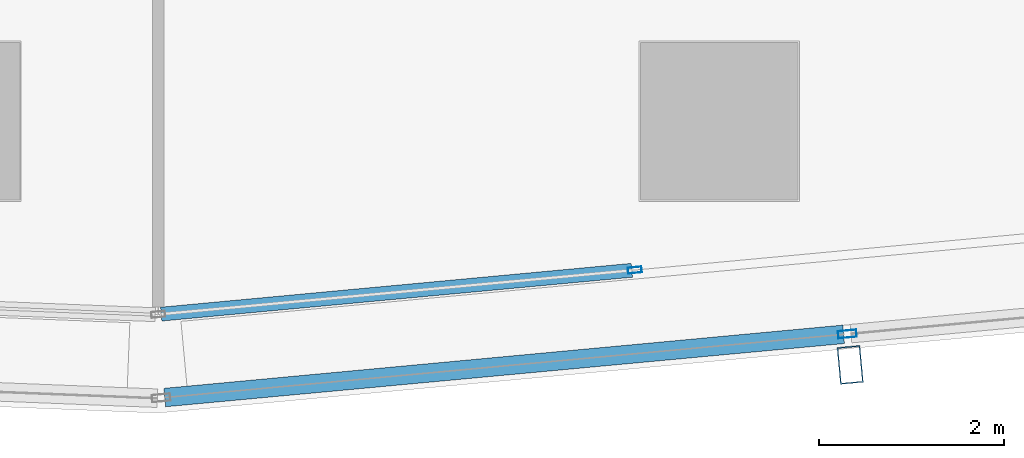
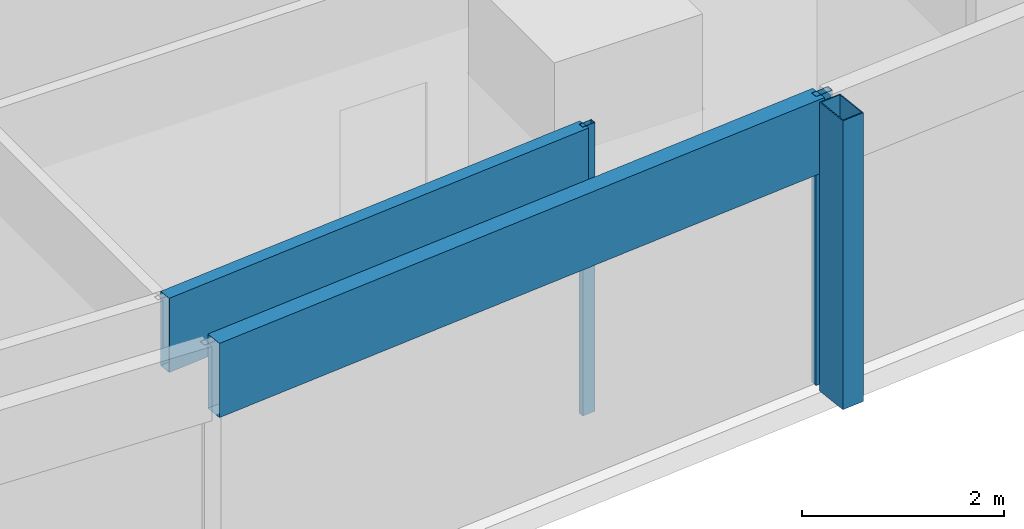
# One storey, part 11 of 34: 5 members, 2 elements without a shape of their own.
"""IFC4 building model written with IfcOpenShell, lengths in metres."""

from ifc_helpers import new_model, si_unit, direction, frame, origin, origin_2d, place, context, subcontext, project, spatial, hollow_rectangle, extrude, material, material_profile, profile_set, type_object, element, aggregate, save


model = new_model("IFC4")

# Units and contexts
model_context = context("Model", 3, precision=1e-05, world=origin(), true_north=direction((0.0, 1.0)))
body_context = subcontext(model_context, "Body", "Model", "MODEL_VIEW")
ifc_project = project(units=[si_unit("LENGTHUNIT", "METRE"), si_unit("AREAUNIT", "SQUARE_METRE"), si_unit("VOLUMEUNIT", "CUBIC_METRE"), si_unit("PLANEANGLEUNIT", "RADIAN"), si_unit("MASSUNIT", "GRAM", prefix="KILO")], contexts=[model_context])

# Site, building, storey
site_placement = place(None, origin())
site = spatial("IfcSite", under=ifc_project, at=site_placement, CompositionType="ELEMENT")
building_placement = place(site_placement, origin())
building = spatial("IfcBuilding", under=site, at=building_placement, Name="Rekha Terrace Tower", CompositionType="ELEMENT")
storey_placement = place(building_placement, frame((0.0, 0.0, 176.449951171875)))
storey = spatial("IfcBuildingStorey", under=building, at=storey_placement, Name="L44", CompositionType="ELEMENT", Elevation=176.449951171875)

# Curtain wall, member
ifc_material_1 = material(Name="Aluminium framing", Category="aluminium")
curtain_wall_type_1 = type_object("IfcCurtainWallType", Name="CW2 double skin outer glazing", PredefinedType="USERDEFINED", material=ifc_material_1)
curtain_wall_1_placement = place(storey_placement, origin())
curtain_wall_1 = element("IfcCurtainWall", 1, at=curtain_wall_1_placement, inside=storey, type_object=curtain_wall_type_1, Name="CW2 double skin outer glazing", ObjectType="DOUBLE SKIN OUTER GLAZING", PredefinedType="USERDEFINED")
ifc_material_2 = material(Name="Steel S355 with fluorocarbon finish", Category="steel")
ifc_material_profile_1 = material_profile(ifc_material_2, hollow_rectangle(XDim=0.25, YDim=0.39990234375, WallThickness=0.012451171875, at=origin_2d()), Name="RHS400x250x12.5")
ifc_profile_set_1 = profile_set([ifc_material_profile_1], Name="Steel S355 with fluorocarbon finish")
member_type_1 = type_object("IfcMemberType", Name="BL1 facade blade RHS 400 x 250", PredefinedType="USERDEFINED", material=ifc_profile_set_1)
member_1_placement = place(storey_placement, frame((51.8134765625, 14.170166015625, 0.0), z_axis=(0.0, 0.0, 1.0), x_axis=(0.995693203185, 0.092709466242, 0.0)))
member_1 = element("IfcMember", 2, at=member_1_placement, type_object=member_type_1, Name="Facade blade", ObjectType="FACADE BLADE", PredefinedType="USERDEFINED", context=body_context, shape_type="SweptSolid", body=[
    extrude(hollow_rectangle(XDim=0.25, YDim=0.39990234375, WallThickness=0.012451171875, at=origin_2d()), origin(), (0.0, 0.0, 1.0), 3.5),
])

# Curtain wall, members
curtain_wall_type_2 = type_object("IfcCurtainWallType", Name="CW1 double skin inner glazing", PredefinedType="USERDEFINED", material=ifc_material_1)
curtain_wall_2_placement = place(storey_placement, origin())
curtain_wall_2 = element("IfcCurtainWall", 3, at=curtain_wall_2_placement, inside=storey, type_object=curtain_wall_type_2, Name="CW1 double skin inner glazing", ObjectType="DOUBLE SKIN INNER GLAZING", PredefinedType="USERDEFINED")
ifc_material_3 = material(Name="Aluminium mullion section", Category="aluminium")
ifc_material_profile_2 = material_profile(ifc_material_3, hollow_rectangle(XDim=0.06494140625, YDim=0.14990234375, WallThickness=0.00390625, at=origin_2d()), Name="AL RHS 65x150")
ifc_profile_set_2 = profile_set([ifc_material_profile_2], Name="Aluminium mullion section")
member_type_2 = type_object("IfcMemberType", Name="CW1 mullion RHS 65 x 150", PredefinedType="MULLION", material=ifc_profile_set_2)
member_2_placement = place(storey_placement, frame((49.48876953125, 15.194091796875, 0.0), z_axis=(0.0, 0.0, 1.0), x_axis=(-0.092708869616, 0.995693258737, 0.0)))
member_2 = element("IfcMember", 4, at=member_2_placement, type_object=member_type_2, Name="CW1 mullion 2", PredefinedType="MULLION", context=body_context, shape_type="SweptSolid", body=[
    extrude(hollow_rectangle(XDim=0.06494140625, YDim=0.14990234375, WallThickness=0.00390625, at=origin_2d()), origin(), (0.0, 0.0, 1.0), 3.5),
])
ifc_material_4 = material(Name="Insulated aluminium spandrel box", Category="aluminium")
ifc_material_profile_3 = material_profile(ifc_material_4, hollow_rectangle(XDim=0.14990234375, YDim=0.89990234375, WallThickness=0.0029296875, at=origin_2d()), Name="AL SPANDREL BOX 150x900")
ifc_profile_set_3 = profile_set([ifc_material_profile_3], Name="Insulated aluminium spandrel box")
member_type_3 = type_object("IfcMemberType", Name="CW1 spandrel transom 150 x 900", PredefinedType="USERDEFINED", material=ifc_profile_set_3)
member_3_placement = place(storey_placement, frame((44.376708984375, 14.718017578125, 3.050048828125), z_axis=(0.995694336337, 0.092697295467, 0.0), x_axis=(-0.092697295467, 0.995694336337, 0.0)))
member_3 = element("IfcMember", 5, at=member_3_placement, type_object=member_type_3, Name="CW1 spandrel transom 1", ObjectType="TRANSOM", PredefinedType="USERDEFINED", context=body_context, shape_type="SweptSolid", body=[
    extrude(hollow_rectangle(XDim=0.14990234375, YDim=0.89990234375, WallThickness=0.0029296875, at=origin_2d()), origin(), (0.0, 0.0, 1.0), 5.1015625),
])
aggregate(curtain_wall_2, [member_2, member_3])

# Member
ifc_material_profile_4 = material_profile(ifc_material_3, hollow_rectangle(XDim=0.080078125, YDim=0.199951171875, WallThickness=0.00390625, at=origin_2d()), Name="AL RHS 80x200")
ifc_profile_set_4 = profile_set([ifc_material_profile_4], Name="Aluminium mullion section")
member_type_4 = type_object("IfcMemberType", Name="CW2 mullion RHS 80 x 200", PredefinedType="MULLION", material=ifc_profile_set_4)
member_4_placement = place(storey_placement, frame((51.782470703125, 14.503662109375, 0.0), z_axis=(0.0, 0.0, 1.0), x_axis=(-0.092708869512, 0.995693258747, 0.0)))
member_4 = element("IfcMember", 6, at=member_4_placement, type_object=member_type_4, Name="CW2 mullion 2", PredefinedType="MULLION", context=body_context, shape_type="SweptSolid", body=[
    extrude(hollow_rectangle(XDim=0.080078125, YDim=0.199951171875, WallThickness=0.00390625, at=origin_2d()), origin(), (0.0, 0.0, 1.0), 3.5),
])

ifc_material_profile_5 = material_profile(ifc_material_4, hollow_rectangle(XDim=0.199951171875, YDim=0.89990234375, WallThickness=0.0029296875, at=origin_2d()), Name="AL SPANDREL BOX 200x900")
ifc_profile_set_5 = profile_set([ifc_material_profile_5], Name="Insulated aluminium spandrel box")
member_type_5 = type_object("IfcMemberType", Name="CW2 spandrel transom 200 x 900", PredefinedType="USERDEFINED", material=ifc_profile_set_5)
member_5_placement = place(storey_placement, frame((44.41552734375, 13.817626953125, 3.050048828125), z_axis=(0.995691176835, 0.092731226525, 0.0), x_axis=(-0.092731226525, 0.995691176835, 0.0)))
member_5 = element("IfcMember", 7, at=member_5_placement, type_object=member_type_5, Name="CW2 spandrel transom 1", ObjectType="TRANSOM", PredefinedType="USERDEFINED", context=body_context, shape_type="SweptSolid", body=[
    extrude(hollow_rectangle(XDim=0.199951171875, YDim=0.89990234375, WallThickness=0.0029296875, at=origin_2d()), origin(), (0.0, 0.0, 1.0), 7.358642578125),
])

aggregate(curtain_wall_1, [member_4, member_5, member_1])

save(model, "model.ifc")
